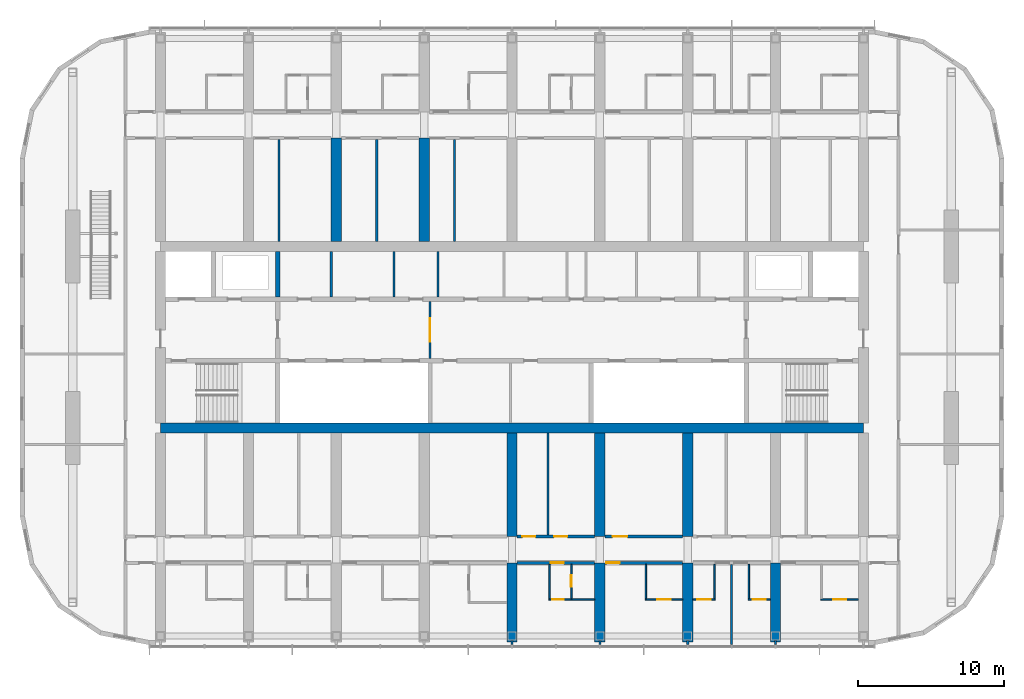
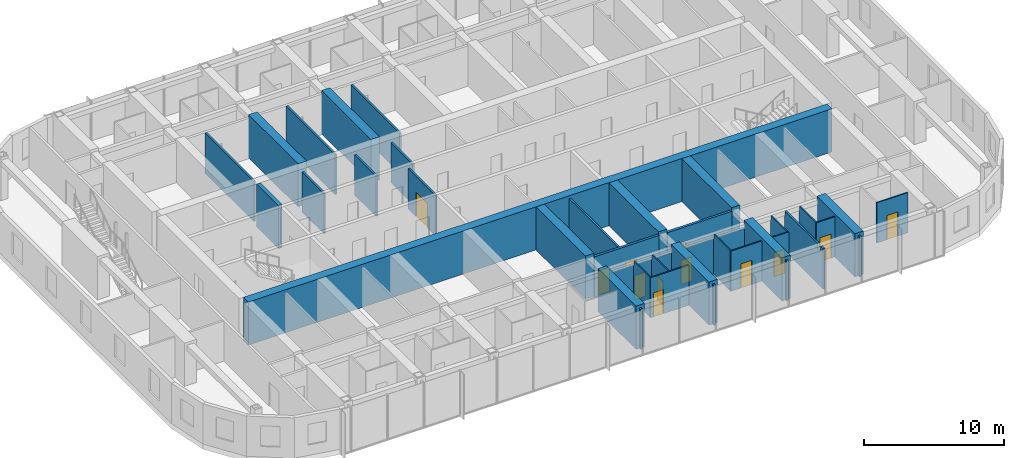
# One storey, part 15 of 28: 38 walls, 12 doors, 12 openings.
"""IFC4 building model written with IfcOpenShell, lengths in metres."""

from ifc_helpers import new_model, si_unit, direction, frame, frame_2d, origin, place, context, subcontext, project, spatial, polyline, rectangle, outline, extrude, material, layer, layer_set, type_object, element, fill, save


model = new_model("IFC4")

# Units and contexts
model_context = context("Model", 3, precision=1e-05, world=origin(), true_north=direction((0.0, 1.0)))
body_context = subcontext(model_context, "Body", "Model", "MODEL_VIEW")
ifc_project = project(units=[si_unit("LENGTHUNIT", "METRE"), si_unit("AREAUNIT", "SQUARE_METRE"), si_unit("VOLUMEUNIT", "CUBIC_METRE"), si_unit("PLANEANGLEUNIT", "RADIAN"), si_unit("MASSUNIT", "GRAM", prefix="KILO")], contexts=[model_context])

# Site, building, storey
site_placement = place(None, origin())
site = spatial("IfcSite", under=ifc_project, at=site_placement, CompositionType="ELEMENT")
building_placement = place(site_placement, origin())
building = spatial("IfcBuilding", under=site, at=building_placement, Name="Orbita Commons", CompositionType="ELEMENT")
storey_placement = place(building_placement, frame((0.0, 0.0, 216.550048828125)))
storey = spatial("IfcBuildingStorey", under=building, at=storey_placement, Name="L53", CompositionType="ELEMENT", Elevation=216.550048828125)

# Wall
ifc_material_1 = material(Name="Concrete C50/60", Category="concrete")
ifc_layer_1 = layer(ifc_material_1, 0.300048828125)
ifc_layer_set_1 = layer_set([ifc_layer_1], Name="Concrete C50/60")
wall_type_1 = type_object("IfcWallType", Name="Core inner wall 300 C50/60", PredefinedType="SHEAR", material=ifc_layer_set_1)
wall_1_placement = place(storey_placement, frame((26.0, 34.75, 0.0), z_axis=(0.0, 0.0, 1.0), x_axis=(0.0, 1.0, 0.0)))
element("IfcWall", 1, at=wall_1_placement, inside=storey, type_object=wall_type_1, Name="Riser wall west L53", PredefinedType="SHEAR", context=body_context, shape_type="SweptSolid", body=[
    extrude(rectangle(XDim=3.10009765625, YDim=0.300048828125, at=frame_2d((1.550048828125, 0.0))), origin(), (0.0, 0.0, 1.0), 3.75),
])

# Wall, opening, door
ifc_material_2 = material(Name="Concrete blockwork", Category="masonry")
ifc_layer_2 = layer(ifc_material_2, 0.14990234375)
ifc_layer_set_2 = layer_set([ifc_layer_2], Name="Concrete blockwork")
wall_type_2 = type_object("IfcWallType", Name="Core partition 150 blockwork", PredefinedType="SOLIDWALL", material=ifc_layer_set_2)
wall_2_placement = place(storey_placement, frame((36.39990234375, 30.550048828125, 0.0), z_axis=(0.0, 0.0, 1.0), x_axis=(0.0, 1.0, 0.0)))
wall_2 = element("IfcWall", 2, at=wall_2_placement, inside=storey, type_object=wall_type_2, Name="Core partition 150 blockwork L53", PredefinedType="SOLIDWALL", context=body_context, shape_type="SweptSolid", body=[
    extrude(rectangle(XDim=3.89990234375, YDim=0.14990234375, at=frame_2d((1.949951171875, 0.0))), origin(), (0.0, 0.0, 1.0), 3.5),
])
opening_1_placement = place(wall_2_placement, frame((1.14990234375, 0.0, 0.0)))
opening_1 = element("IfcOpeningElement", 3, at=opening_1_placement, cuts=wall_2, Name="Opening D10", PredefinedType="OPENING", context=body_context, shape_type="SweptSolid", body=[
    extrude(rectangle(XDim=1.60009765625, YDim=2.10009765625, at=frame_2d((0.800048828125, 1.050048828125))), frame((0.0, 0.0849609375, 0.0), z_axis=(0.0, -1.0, 0.0), x_axis=(1.0, 0.0, 0.0)), (0.0, 0.0, 1.0), 0.169921875),
])
ifc_material_3 = material(Name="Steel-faced fire door leaf", Category="steel")
door_type_1 = type_object("IfcDoorType", Name="Double corridor door 20 min 1600x2100", OperationType="DOUBLE_DOOR_SINGLE_SWING", PredefinedType="DOOR", material=ifc_material_3)
door_1_placement = place(opening_1_placement, origin())
door_1 = element("IfcDoor", 4, at=door_1_placement, inside=storey, type_object=door_type_1, Name="Lift lobby screen doors", OperationType="DOUBLE_DOOR_SINGLE_SWING", OverallHeight=2.10009765625, OverallWidth=1.60009765625, PredefinedType="DOOR", context=body_context, shape_type="SweptSolid", body=[
    extrude(rectangle(XDim=1.60009765625, YDim=2.10009765625, at=frame_2d((0.800048828125, 1.050048828125))), frame((0.0, 0.02490234375, 0.0), z_axis=(0.0, -1.0, 0.0), x_axis=(1.0, 0.0, 0.0)), (0.0, 0.0, 1.0), 0.050048828125),
])
fill(opening_1, door_1)

# Walls
for number, where, z_axis, x_axis, name in (
    (5, (29.65087890625, 34.75, 0.0), (0.0, 0.0, 1.0), (0.0, 1.0, 0.0), "Core partition 150 blockwork L53"),
    (6, (33.9462890625, 34.75, 0.0), (0.0, 0.0, 1.0), (0.0, 1.0, 0.0), "Core partition 150 blockwork L53"),
    (7, (36.9462890625, 34.75, 0.0), (0.0, 0.0, 1.0), (0.0, 1.0, 0.0), "Core partition 150 blockwork L53"),
):
    element("IfcWall", number, at=place(storey_placement, frame(where, z_axis=z_axis, x_axis=x_axis)), inside=storey, type_object=wall_type_2, Name=name, PredefinedType="SOLIDWALL", context=body_context, shape_type="SweptSolid", body=[
        extrude(rectangle(XDim=3.10009765625, YDim=0.14990234375, at=frame_2d((1.550048828125, 0.0))), origin(), (0.0, 0.0, 1.0), 3.5),
    ])
ifc_material_4 = material(Name="Concrete C50/60", Category="concrete")
ifc_layer_3 = layer(ifc_material_4, 0.699951171875)
ifc_layer_set_3 = layer_set([ifc_layer_3], Name="Concrete C50/60")
wall_type_3 = type_object("IfcWallType", Name="Core wall 700 C50/60", PredefinedType="SHEAR", material=ifc_layer_set_3)
wall_3_placement = place(storey_placement, frame((18.0, 25.800048828125, 0.0), z_axis=(0.0, 0.0, 1.0), x_axis=(1.0, 0.0, 0.0)))
element("IfcWall", 8, at=wall_3_placement, inside=storey, type_object=wall_type_3, Name="Core spine wall south L53", PredefinedType="SHEAR", context=body_context, shape_type="SweptSolid", body=[
    extrude(rectangle(XDim=48.0, YDim=0.699951171875, at=frame_2d((24.0, 0.0))), origin(), (0.0, 0.0, 1.0), 3.75),
])

# Wall, opening, door
ifc_material_5 = material(Name="Concrete blockwork", Category="masonry")
ifc_layer_4 = layer(ifc_material_5, 0.199951171875)
ifc_layer_set_4 = layer_set([ifc_layer_4], Name="Concrete blockwork")
wall_type_4 = type_object("IfcWallType", Name="Corridor wall 200 blockwork", PredefinedType="SOLIDWALL", material=ifc_layer_set_4)
wall_4_placement = place(storey_placement, frame((42.35009765625, 16.60009765625, 0.0), z_axis=(0.0, 0.0, 1.0), x_axis=(1.0, 0.0, 0.0)))
wall_4 = element("IfcWall", 9, at=wall_4_placement, inside=storey, type_object=wall_type_4, Name="Corridor wall 200 blockwork L53", PredefinedType="SOLIDWALL", context=body_context, shape_type="SweptSolid", body=[
    extrude(outline(polyline([(0.0, 0.0), (5.2998046875, 0.0), (5.300048828125, 3.099853515625), (0.0, 3.099853515625), (0.0, 0.0)])), frame((0.0, 0.10009765625, 0.0), z_axis=(0.0, -1.0, 0.0), x_axis=(1.0, 0.0, 0.0)), (0.0, 0.0, 1.0), 0.199951171875),
])
opening_2_placement = place(wall_4_placement, frame((2.300048828125, 0.0, 0.0)))
opening_2 = element("IfcOpeningElement", 10, at=opening_2_placement, cuts=wall_4, Name="Opening D11", PredefinedType="OPENING", context=body_context, shape_type="SweptSolid", body=[
    extrude(rectangle(XDim=0.89990234375, YDim=2.10009765625, at=frame_2d((0.449951171875, 1.050048828125))), frame((0.0, 0.10986328125, 0.0), z_axis=(0.0, -1.0, 0.0), x_axis=(1.0, 0.0, 0.0)), (0.0, 0.0, 1.0), 0.219970703125),
])
ifc_material_6 = material(Name="Steel-faced fire door leaf", Category="steel")
door_type_2 = type_object("IfcDoorType", Name="Corridor door 20 min 900x2100", OperationType="SINGLE_SWING_LEFT", PredefinedType="DOOR", material=ifc_material_6)
door_2_placement = place(opening_2_placement, origin())
door_2 = element("IfcDoor", 11, at=door_2_placement, inside=storey, type_object=door_type_2, Name="Studio flat L53-S08 entrance door", OperationType="SINGLE_SWING_LEFT", OverallHeight=2.10009765625, OverallWidth=0.89990234375, PredefinedType="DOOR", context=body_context, shape_type="SweptSolid", body=[
    extrude(rectangle(XDim=0.89990234375, YDim=2.10009765625, at=frame_2d((0.449951171875, 1.050048828125))), frame((0.0, 0.02490234375, 0.0), z_axis=(0.0, -1.0, 0.0), x_axis=(1.0, 0.0, 0.0)), (0.0, 0.0, 1.0), 0.050048828125),
])
fill(opening_2, door_2)

wall_5_placement = place(storey_placement, frame((48.35009765625, 16.60009765625, 0.0), z_axis=(0.0, 0.0, 1.0), x_axis=(1.0, 0.0, 0.0)))
wall_5 = element("IfcWall", 12, at=wall_5_placement, inside=storey, type_object=wall_type_4, Name="Corridor wall 200 blockwork L53", PredefinedType="SOLIDWALL", context=body_context, shape_type="SweptSolid", body=[
    extrude(outline(polyline([(0.0, 0.0), (5.2998046875, 0.0), (5.300048828125, 3.099853515625), (0.0, 3.099853515625), (0.0, 0.0)])), frame((0.0, 0.10009765625, 0.0), z_axis=(0.0, -1.0, 0.0), x_axis=(1.0, 0.0, 0.0)), (0.0, 0.0, 1.0), 0.199951171875),
])
opening_3_placement = place(wall_5_placement, frame((0.10009765625, 0.0, 0.0)))
opening_3 = element("IfcOpeningElement", 13, at=opening_3_placement, cuts=wall_5, Name="Opening D11", PredefinedType="OPENING", context=body_context, shape_type="SweptSolid", body=[
    extrude(rectangle(XDim=0.89990234375, YDim=2.10009765625, at=frame_2d((0.449951171875, 1.050048828125))), frame((0.0, 0.10986328125, 0.0), z_axis=(0.0, -1.0, 0.0), x_axis=(1.0, 0.0, 0.0)), (0.0, 0.0, 1.0), 0.219970703125),
])
door_3_placement = place(opening_3_placement, origin())
door_3 = element("IfcDoor", 14, at=door_3_placement, inside=storey, type_object=door_type_2, Name="Studio apartment with kitchenette L53-S10 door", OperationType="SINGLE_SWING_LEFT", OverallHeight=2.10009765625, OverallWidth=0.89990234375, PredefinedType="DOOR", context=body_context, shape_type="SweptSolid", body=[
    extrude(rectangle(XDim=0.89990234375, YDim=2.10009765625, at=frame_2d((0.449951171875, 1.050048828125))), frame((0.0, 0.02490234375, 0.0), z_axis=(0.0, -1.0, 0.0), x_axis=(1.0, 0.0, 0.0)), (0.0, 0.0, 1.0), 0.050048828125),
])
fill(opening_3, door_3)

# Wall, openings, doors
ifc_material_7 = material(Name="Hollow concrete block 200", Category="concrete")
ifc_layer_5 = layer(ifc_material_7, 0.199951171875)
ifc_layer_set_5 = layer_set([ifc_layer_5], Name="Hollow concrete block 200")
wall_type_5 = type_object("IfcWallType", Name="Corridor wall 200 hollow concrete block", PredefinedType="SOLIDWALL", material=ifc_layer_set_5)
wall_6_placement = place(storey_placement, frame((42.35009765625, 18.39990234375, 0.0), z_axis=(0.0, 0.0, 1.0), x_axis=(1.0, 0.0, 0.0)))
wall_6 = element("IfcWall", 15, at=wall_6_placement, inside=storey, type_object=wall_type_5, Name="Corridor wall 200 hollow concrete block L53", PredefinedType="SOLIDWALL", context=body_context, shape_type="SweptSolid", body=[
    extrude(rectangle(XDim=5.2998046875, YDim=0.199951171875, at=frame_2d((2.64990234375, 0.0))), origin(), (0.0, 0.0, 1.0), 3.5),
])
opening_4_placement = place(wall_6_placement, frame((0.35009765625, 0.0, 0.0)))
opening_4 = element("IfcOpeningElement", 16, at=opening_4_placement, cuts=wall_6, Name="Opening D11", PredefinedType="OPENING", context=body_context, shape_type="SweptSolid", body=[
    extrude(rectangle(XDim=0.89990234375, YDim=2.10009765625, at=frame_2d((0.449951171875, 1.050048828125))), frame((0.0, 0.10986328125, 0.0), z_axis=(0.0, -1.0, 0.0), x_axis=(1.0, 0.0, 0.0)), (0.0, 0.0, 1.0), 0.219970703125),
])
opening_5_placement = place(wall_6_placement, frame((2.534912109375, 0.0, 0.0)))
opening_5 = element("IfcOpeningElement", 17, at=opening_5_placement, cuts=wall_6, Name="Opening D11", PredefinedType="OPENING", context=body_context, shape_type="SweptSolid", body=[
    extrude(rectangle(XDim=0.89990234375, YDim=2.10009765625, at=frame_2d((0.449951171875, 1.050048828125))), frame((0.0, 0.10986328125, 0.0), z_axis=(0.0, -1.0, 0.0), x_axis=(1.0, 0.0, 0.0)), (0.0, 0.0, 1.0), 0.219970703125),
])
door_4_placement = place(opening_4_placement, origin())
door_4 = element("IfcDoor", 18, at=door_4_placement, inside=storey, type_object=door_type_2, Name="Equipment store L53-BDS42n door", OperationType="SINGLE_SWING_LEFT", OverallHeight=2.10009765625, OverallWidth=0.89990234375, PredefinedType="DOOR", context=body_context, shape_type="SweptSolid", body=[
    extrude(rectangle(XDim=0.89990234375, YDim=2.10009765625, at=frame_2d((0.449951171875, 1.050048828125))), frame((0.0, 0.02490234375, 0.0), z_axis=(0.0, -1.0, 0.0), x_axis=(1.0, 0.0, 0.0)), (0.0, 0.0, 1.0), 0.050048828125),
])
fill(opening_4, door_4)
door_5_placement = place(opening_5_placement, origin())
door_5 = element("IfcDoor", 19, at=door_5_placement, inside=storey, type_object=door_type_2, Name="Board room L53-BDS42 door", OperationType="SINGLE_SWING_LEFT", OverallHeight=2.10009765625, OverallWidth=0.89990234375, PredefinedType="DOOR", context=body_context, shape_type="SweptSolid", body=[
    extrude(rectangle(XDim=0.89990234375, YDim=2.10009765625, at=frame_2d((0.449951171875, 1.050048828125))), frame((0.0, 0.02490234375, 0.0), z_axis=(0.0, -1.0, 0.0), x_axis=(1.0, 0.0, 0.0)), (0.0, 0.0, 1.0), 0.050048828125),
])
fill(opening_5, door_5)

# Wall, opening, door
wall_7_placement = place(storey_placement, frame((48.35009765625, 18.39990234375, 0.0), z_axis=(0.0, 0.0, 1.0), x_axis=(1.0, 0.0, 0.0)))
wall_7 = element("IfcWall", 20, at=wall_7_placement, inside=storey, type_object=wall_type_5, Name="Corridor wall 200 hollow concrete block L53", PredefinedType="SOLIDWALL", context=body_context, shape_type="SweptSolid", body=[
    extrude(rectangle(XDim=5.2998046875, YDim=0.199951171875, at=frame_2d((2.64990234375, 0.0))), origin(), (0.0, 0.0, 1.0), 3.5),
])
opening_6_placement = place(wall_7_placement, frame((0.52490234375, 0.0, 0.0)))
opening_6 = element("IfcOpeningElement", 21, at=opening_6_placement, cuts=wall_7, Name="Opening D06", PredefinedType="OPENING", context=body_context, shape_type="SweptSolid", body=[
    extrude(rectangle(XDim=1.0, YDim=2.10009765625, at=frame_2d((0.5, 1.050048828125))), frame((0.0, 0.10986328125, 0.0), z_axis=(0.0, -1.0, 0.0), x_axis=(1.0, 0.0, 0.0)), (0.0, 0.0, 1.0), 0.219970703125),
])
ifc_material_8 = material(Name="Steel-faced fire door leaf", Category="steel")
door_type_3 = type_object("IfcDoorType", Name="Corridor door 20 min 1000x2100", OperationType="SINGLE_SWING_LEFT", PredefinedType="DOOR", material=ifc_material_8)
door_6_placement = place(opening_6_placement, origin())
door_6 = element("IfcDoor", 22, at=door_6_placement, inside=storey, type_object=door_type_3, Name="IT and print room L53-BDS48 door", OperationType="SINGLE_SWING_LEFT", OverallHeight=2.10009765625, OverallWidth=1.0, PredefinedType="DOOR", context=body_context, shape_type="SweptSolid", body=[
    extrude(rectangle(XDim=1.0, YDim=2.10009765625, at=frame_2d((0.5, 1.050048828125))), frame((0.0, 0.02490234375, 0.0), z_axis=(0.0, -1.0, 0.0), x_axis=(1.0, 0.0, 0.0)), (0.0, 0.0, 1.0), 0.050048828125),
])
fill(opening_6, door_6)

# Walls
ifc_material_9 = material(Name="Concrete C50/60", Category="concrete")
ifc_layer_6 = layer(ifc_material_9, 0.699951171875)
ifc_layer_set_6 = layer_set([ifc_layer_6], Name="Concrete C50/60")
wall_type_6 = type_object("IfcWallType", Name="Cross wall 700 C50/60", PredefinedType="SHEAR", material=ifc_layer_set_6)
for number, where, z_axis, x_axis, name in (
    (23, (30.0, 38.550048828125, 0.0), (0.0, 0.0, 1.0), (0.0, 1.0, 0.0), "Cross wall 6 north inner L53"),
    (24, (36.0, 38.550048828125, 0.0), (0.0, 0.0, 1.0), (0.0, 1.0, 0.0), "Cross wall 7 north inner L53"),
):
    element("IfcWall", number, at=place(storey_placement, frame(where, z_axis=z_axis, x_axis=x_axis)), inside=storey, type_object=wall_type_6, Name=name, PredefinedType="SHEAR", context=body_context, shape_type="SweptSolid", body=[
        extrude(rectangle(XDim=7.050048828125, YDim=0.699951171875, at=frame_2d((3.52490234375, 0.0))), origin(), (0.0, 0.0, 1.0), 3.75),
    ])
wall_8_placement = place(storey_placement, frame((42.0, 11.199951171875, 0.0), z_axis=(0.0, 0.0, 1.0), x_axis=(0.0, 1.0, 0.0)))
element("IfcWall", 25, at=wall_8_placement, inside=storey, type_object=wall_type_6, Name="Cross wall 8 south outer L53", PredefinedType="SHEAR", context=body_context, shape_type="SweptSolid", body=[
    extrude(rectangle(XDim=5.400146484375, YDim=0.699951171875, at=frame_2d((2.7001953125, 0.0))), origin(), (0.0, 0.0, 1.0), 3.75),
])
wall_9_placement = place(storey_placement, frame((42.0, 18.39990234375, 0.0), z_axis=(0.0, 0.0, 1.0), x_axis=(0.0, 1.0, 0.0)))
element("IfcWall", 26, at=wall_9_placement, inside=storey, type_object=wall_type_6, Name="Cross wall 8 south inner L53", PredefinedType="SHEAR", context=body_context, shape_type="SweptSolid", body=[
    extrude(rectangle(XDim=7.050048828125, YDim=0.699951171875, at=frame_2d((3.52490234375, 0.0))), origin(), (0.0, 0.0, 1.0), 3.75),
])
wall_10_placement = place(storey_placement, frame((48.0, 11.199951171875, 0.0), z_axis=(0.0, 0.0, 1.0), x_axis=(0.0, 1.0, 0.0)))
element("IfcWall", 27, at=wall_10_placement, inside=storey, type_object=wall_type_6, Name="Cross wall 9 south outer L53", PredefinedType="SHEAR", context=body_context, shape_type="SweptSolid", body=[
    extrude(rectangle(XDim=5.400146484375, YDim=0.699951171875, at=frame_2d((2.7001953125, 0.0))), origin(), (0.0, 0.0, 1.0), 3.75),
])
wall_11_placement = place(storey_placement, frame((48.0, 18.39990234375, 0.0), z_axis=(0.0, 0.0, 1.0), x_axis=(0.0, 1.0, 0.0)))
element("IfcWall", 28, at=wall_11_placement, inside=storey, type_object=wall_type_6, Name="Cross wall 9 south inner L53", PredefinedType="SHEAR", context=body_context, shape_type="SweptSolid", body=[
    extrude(rectangle(XDim=7.050048828125, YDim=0.699951171875, at=frame_2d((3.52490234375, 0.0))), origin(), (0.0, 0.0, 1.0), 3.75),
])
wall_12_placement = place(storey_placement, frame((54.0, 11.199951171875, 0.0), z_axis=(0.0, 0.0, 1.0), x_axis=(0.0, 1.0, 0.0)))
element("IfcWall", 29, at=wall_12_placement, inside=storey, type_object=wall_type_6, Name="Cross wall 10 south outer L53", PredefinedType="SHEAR", context=body_context, shape_type="SweptSolid", body=[
    extrude(rectangle(XDim=5.400146484375, YDim=0.699951171875, at=frame_2d((2.7001953125, 0.0))), origin(), (0.0, 0.0, 1.0), 3.75),
])
wall_13_placement = place(storey_placement, frame((54.0, 18.39990234375, 0.0), z_axis=(0.0, 0.0, 1.0), x_axis=(0.0, 1.0, 0.0)))
element("IfcWall", 30, at=wall_13_placement, inside=storey, type_object=wall_type_6, Name="Cross wall 10 south inner L53", PredefinedType="SHEAR", context=body_context, shape_type="SweptSolid", body=[
    extrude(rectangle(XDim=7.050048828125, YDim=0.699951171875, at=frame_2d((3.52490234375, 0.0))), origin(), (0.0, 0.0, 1.0), 3.75),
])
wall_14_placement = place(storey_placement, frame((60.0, 11.199951171875, 0.0), z_axis=(0.0, 0.0, 1.0), x_axis=(0.0, 1.0, 0.0)))
element("IfcWall", 31, at=wall_14_placement, inside=storey, type_object=wall_type_6, Name="Cross wall 11 south outer L53", PredefinedType="SHEAR", context=body_context, shape_type="SweptSolid", body=[
    extrude(rectangle(XDim=5.400146484375, YDim=0.699951171875, at=frame_2d((2.7001953125, 0.0))), origin(), (0.0, 0.0, 1.0), 3.75),
])

# Wall, opening, door
ifc_material_10 = material(Name="Moisture-resistant plasterboard on steel studs", Category="steel")
ifc_layer_7 = layer(ifc_material_10, 0.10009765625)
ifc_layer_set_7 = layer_set([ifc_layer_7], Name="Moisture-resistant plasterboard on steel studs")
wall_type_7 = type_object("IfcWallType", Name="En-suite partition 100", PredefinedType="PARTITIONING", material=ifc_layer_set_7)
wall_15_placement = place(storey_placement, frame((47.64990234375, 14.10009765625, 0.0), z_axis=(0.0, 0.0, 1.0), x_axis=(-1.0, 0.0, 0.0)))
wall_15 = element("IfcWall", 32, at=wall_15_placement, inside=storey, type_object=wall_type_7, Name="En-suite partition 100 L53", PredefinedType="PARTITIONING", context=body_context, shape_type="SweptSolid", body=[
    extrude(rectangle(XDim=3.14990234375, YDim=0.10009765625, at=frame_2d((1.574951171875, 0.0))), origin(), (0.0, 0.0, 1.0), 3.5),
])
opening_7_placement = place(wall_15_placement, frame((2.10009765625, 0.0, 0.0)))
opening_7 = element("IfcOpeningElement", 33, at=opening_7_placement, cuts=wall_15, Name="Opening D16", PredefinedType="OPENING", context=body_context, shape_type="SweptSolid", body=[
    extrude(rectangle(XDim=0.800048828125, YDim=2.10009765625, at=frame_2d((0.39990234375, 1.050048828125))), frame((0.0, 0.06005859375, 0.0), z_axis=(0.0, -1.0, 0.0), x_axis=(1.0, 0.0, 0.0)), (0.0, 0.0, 1.0), 0.1201171875),
])
ifc_material_11 = material(Name="Laminated timber door leaf", Category="wood")
door_type_4 = type_object("IfcDoorType", Name="En-suite door 800x2100", OperationType="SINGLE_SWING_RIGHT", PredefinedType="DOOR", material=ifc_material_11)
door_7_placement = place(opening_7_placement, origin())
door_7 = element("IfcDoor", 34, at=door_7_placement, inside=storey, type_object=door_type_4, Name="Studio flat L53-S08 door", OperationType="SINGLE_SWING_RIGHT", OverallHeight=2.10009765625, OverallWidth=0.800048828125, PredefinedType="DOOR", context=body_context, shape_type="SweptSolid", body=[
    extrude(rectangle(XDim=0.800048828125, YDim=2.10009765625, at=frame_2d((0.39990234375, 1.050048828125))), frame((0.0, 0.02490234375, 0.0), z_axis=(0.0, -1.0, 0.0), x_axis=(1.0, 0.0, 0.0)), (0.0, 0.0, 1.0), 0.050048828125),
])
fill(opening_7, door_7)

# Wall
wall_16_placement = place(storey_placement, frame((44.550048828125, 14.14990234375, 0.0), z_axis=(0.0, 0.0, 1.0), x_axis=(0.0, 1.0, 0.0)))
element("IfcWall", 35, at=wall_16_placement, inside=storey, type_object=wall_type_7, Name="En-suite partition 100 L53", PredefinedType="PARTITIONING", context=body_context, shape_type="SweptSolid", body=[
    extrude(outline(polyline([(0.0, 0.0), (2.35009765625, 0.0), (2.35009765625, 3.099853515625), (2.302001953125, 3.099853515625), (2.300048828125, 3.5), (0.0, 3.5), (0.0, 0.0)])), frame((0.0, 0.050048828125, 0.0), z_axis=(0.0, -1.0, 0.0), x_axis=(1.0, 0.0, 0.0)), (0.0, 0.0, 1.0), 0.10009765625),
])

# Wall, opening, door
wall_17_placement = place(storey_placement, frame((46.050048828125, 14.14990234375, 0.0), z_axis=(0.0, 0.0, 1.0), x_axis=(0.0, 1.0, 0.0)))
wall_17 = element("IfcWall", 36, at=wall_17_placement, inside=storey, type_object=wall_type_7, Name="En-suite partition 100 L53", PredefinedType="PARTITIONING", context=body_context, shape_type="SweptSolid", body=[
    extrude(outline(polyline([(0.0, 0.0), (2.35009765625, 0.0), (2.35009765625, 3.099853515625), (2.302001953125, 3.099853515625), (2.300048828125, 3.5), (0.0, 3.5), (0.0, 0.0)])), frame((0.0, 0.050048828125, 0.0), z_axis=(0.0, -1.0, 0.0), x_axis=(1.0, 0.0, 0.0)), (0.0, 0.0, 1.0), 0.10009765625),
])
opening_8_placement = place(wall_17_placement, frame((0.800048828125, 0.0, 0.0)))
opening_8 = element("IfcOpeningElement", 37, at=opening_8_placement, cuts=wall_17, Name="Opening D16", PredefinedType="OPENING", context=body_context, shape_type="SweptSolid", body=[
    extrude(rectangle(XDim=0.800048828125, YDim=2.10009765625, at=frame_2d((0.39990234375, 1.050048828125))), frame((0.0, 0.06005859375, 0.0), z_axis=(0.0, -1.0, 0.0), x_axis=(1.0, 0.0, 0.0)), (0.0, 0.0, 1.0), 0.1201171875),
])
door_8_placement = place(opening_8_placement, origin())
door_8 = element("IfcDoor", 38, at=door_8_placement, inside=storey, type_object=door_type_4, Name="Studio flat shower room L53-S08 door", OperationType="SINGLE_SWING_RIGHT", OverallHeight=2.10009765625, OverallWidth=0.800048828125, PredefinedType="DOOR", context=body_context, shape_type="SweptSolid", body=[
    extrude(rectangle(XDim=0.800048828125, YDim=2.10009765625, at=frame_2d((0.39990234375, 1.050048828125))), frame((0.0, 0.02490234375, 0.0), z_axis=(0.0, -1.0, 0.0), x_axis=(1.0, 0.0, 0.0)), (0.0, 0.0, 1.0), 0.050048828125),
])
fill(opening_8, door_8)

wall_18_placement = place(storey_placement, frame((53.64990234375, 14.10009765625, 0.0), z_axis=(0.0, 0.0, 1.0), x_axis=(-1.0, 0.0, 0.0)))
wall_18 = element("IfcWall", 39, at=wall_18_placement, inside=storey, type_object=wall_type_7, Name="En-suite partition 100 L53", PredefinedType="PARTITIONING", context=body_context, shape_type="SweptSolid", body=[
    extrude(rectangle(XDim=2.5498046875, YDim=0.10009765625, at=frame_2d((1.27490234375, 0.0))), origin(), (0.0, 0.0, 1.0), 3.5),
])
opening_9_placement = place(wall_18_placement, frame((0.824951171875, 0.0, 0.0)))
opening_9 = element("IfcOpeningElement", 40, at=opening_9_placement, cuts=wall_18, Name="Opening D09", PredefinedType="OPENING", context=body_context, shape_type="SweptSolid", body=[
    extrude(rectangle(XDim=0.89990234375, YDim=2.10009765625, at=frame_2d((0.449951171875, 1.050048828125))), frame((0.0, 0.06005859375, 0.0), z_axis=(0.0, -1.0, 0.0), x_axis=(1.0, 0.0, 0.0)), (0.0, 0.0, 1.0), 0.1201171875),
])
ifc_material_12 = material(Name="Laminated timber door leaf", Category="wood")
door_type_5 = type_object("IfcDoorType", Name="En-suite door 900x2100", OperationType="SINGLE_SWING_RIGHT", PredefinedType="DOOR", material=ifc_material_12)
door_9_placement = place(opening_9_placement, origin())
door_9 = element("IfcDoor", 41, at=door_9_placement, inside=storey, type_object=door_type_5, Name="En-suite L53-S10 door", OperationType="SINGLE_SWING_RIGHT", OverallHeight=2.10009765625, OverallWidth=0.89990234375, PredefinedType="DOOR", context=body_context, shape_type="SweptSolid", body=[
    extrude(rectangle(XDim=0.89990234375, YDim=2.10009765625, at=frame_2d((0.449951171875, 1.050048828125))), frame((0.0, 0.02490234375, 0.0), z_axis=(0.0, -1.0, 0.0), x_axis=(1.0, 0.0, 0.0)), (0.0, 0.0, 1.0), 0.050048828125),
])
fill(opening_9, door_9)

# Wall
wall_19_placement = place(storey_placement, frame((51.14990234375, 14.14990234375, 0.0), z_axis=(0.0, 0.0, 1.0), x_axis=(0.0, 1.0, 0.0)))
element("IfcWall", 42, at=wall_19_placement, inside=storey, type_object=wall_type_7, Name="En-suite partition 100 L53", PredefinedType="PARTITIONING", context=body_context, shape_type="SweptSolid", body=[
    extrude(outline(polyline([(0.0, 0.0), (2.35009765625, 0.0), (2.35009765625, 3.099853515625), (2.302001953125, 3.099853515625), (2.300048828125, 3.5), (0.0, 3.5), (0.0, 0.0)])), frame((0.0, 0.050048828125, 0.0), z_axis=(0.0, -1.0, 0.0), x_axis=(1.0, 0.0, 0.0)), (0.0, 0.0, 1.0), 0.10009765625),
])

# Wall, opening, door
wall_20_placement = place(storey_placement, frame((55.875, 14.10009765625, 0.0), z_axis=(0.0, 0.0, 1.0), x_axis=(-1.0, 0.0, 0.0)))
wall_20 = element("IfcWall", 43, at=wall_20_placement, inside=storey, type_object=wall_type_7, Name="En-suite partition 100 L53", PredefinedType="PARTITIONING", context=body_context, shape_type="SweptSolid", body=[
    extrude(rectangle(XDim=1.52490234375, YDim=0.10009765625, at=frame_2d((0.762451171875, 0.0))), origin(), (0.0, 0.0, 1.0), 3.5),
])
opening_10_placement = place(wall_20_placement, frame((0.3125, 0.0, 0.0)))
opening_10 = element("IfcOpeningElement", 44, at=opening_10_placement, cuts=wall_20, Name="Opening D09", PredefinedType="OPENING", context=body_context, shape_type="SweptSolid", body=[
    extrude(rectangle(XDim=0.89990234375, YDim=2.10009765625, at=frame_2d((0.449951171875, 1.050048828125))), frame((0.0, 0.06005859375, 0.0), z_axis=(0.0, -1.0, 0.0), x_axis=(1.0, 0.0, 0.0)), (0.0, 0.0, 1.0), 0.1201171875),
])
door_10_placement = place(opening_10_placement, origin())
door_10 = element("IfcDoor", 45, at=door_10_placement, inside=storey, type_object=door_type_5, Name="En-suite L53-S12 door", OperationType="SINGLE_SWING_RIGHT", OverallHeight=2.10009765625, OverallWidth=0.89990234375, PredefinedType="DOOR", context=body_context, shape_type="SweptSolid", body=[
    extrude(rectangle(XDim=0.89990234375, YDim=2.10009765625, at=frame_2d((0.449951171875, 1.050048828125))), frame((0.0, 0.02490234375, 0.0), z_axis=(0.0, -1.0, 0.0), x_axis=(1.0, 0.0, 0.0)), (0.0, 0.0, 1.0), 0.050048828125),
])
fill(opening_10, door_10)

# Wall
wall_21_placement = place(storey_placement, frame((55.824951171875, 14.14990234375, 0.0), z_axis=(0.0, 0.0, 1.0), x_axis=(0.0, 1.0, 0.0)))
element("IfcWall", 46, at=wall_21_placement, inside=storey, type_object=wall_type_7, Name="En-suite partition 100 L53", PredefinedType="PARTITIONING", context=body_context, shape_type="SweptSolid", body=[
    extrude(outline(polyline([(0.0, 0.0), (2.35009765625, 0.0), (2.35009765625, 3.099853515625), (2.302001953125, 3.099853515625), (2.300048828125, 3.5), (0.0, 3.5), (0.0, 0.0)])), frame((0.0, 0.050048828125, 0.0), z_axis=(0.0, -1.0, 0.0), x_axis=(1.0, 0.0, 0.0)), (0.0, 0.0, 1.0), 0.10009765625),
])

# Wall, opening, door
wall_22_placement = place(storey_placement, frame((59.64990234375, 14.10009765625, 0.0), z_axis=(0.0, 0.0, 1.0), x_axis=(-1.0, 0.0, 0.0)))
wall_22 = element("IfcWall", 47, at=wall_22_placement, inside=storey, type_object=wall_type_7, Name="En-suite partition 100 L53", PredefinedType="PARTITIONING", context=body_context, shape_type="SweptSolid", body=[
    extrude(rectangle(XDim=1.52490234375, YDim=0.10009765625, at=frame_2d((0.762451171875, 0.0))), origin(), (0.0, 0.0, 1.0), 3.5),
])
opening_11_placement = place(wall_22_placement, frame((0.3125, 0.0, 0.0)))
opening_11 = element("IfcOpeningElement", 48, at=opening_11_placement, cuts=wall_22, Name="Opening D09", PredefinedType="OPENING", context=body_context, shape_type="SweptSolid", body=[
    extrude(rectangle(XDim=0.89990234375, YDim=2.10009765625, at=frame_2d((0.449951171875, 1.050048828125))), frame((0.0, 0.06005859375, 0.0), z_axis=(0.0, -1.0, 0.0), x_axis=(1.0, 0.0, 0.0)), (0.0, 0.0, 1.0), 0.1201171875),
])
door_11_placement = place(opening_11_placement, origin())
door_11 = element("IfcDoor", 49, at=door_11_placement, inside=storey, type_object=door_type_5, Name="En-suite L53-S13 door", OperationType="SINGLE_SWING_RIGHT", OverallHeight=2.10009765625, OverallWidth=0.89990234375, PredefinedType="DOOR", context=body_context, shape_type="SweptSolid", body=[
    extrude(rectangle(XDim=0.89990234375, YDim=2.10009765625, at=frame_2d((0.449951171875, 1.050048828125))), frame((0.0, 0.02490234375, 0.0), z_axis=(0.0, -1.0, 0.0), x_axis=(1.0, 0.0, 0.0)), (0.0, 0.0, 1.0), 0.050048828125),
])
fill(opening_11, door_11)

# Wall
wall_23_placement = place(storey_placement, frame((58.175048828125, 14.14990234375, 0.0), z_axis=(0.0, 0.0, 1.0), x_axis=(0.0, 1.0, 0.0)))
element("IfcWall", 50, at=wall_23_placement, inside=storey, type_object=wall_type_7, Name="En-suite partition 100 L53", PredefinedType="PARTITIONING", context=body_context, shape_type="SweptSolid", body=[
    extrude(outline(polyline([(0.0, 0.0), (2.35009765625, 0.0), (2.35009765625, 3.099853515625), (2.302001953125, 3.099853515625), (2.300048828125, 3.5), (0.0, 3.5), (0.0, 0.0)])), frame((0.0, 0.050048828125, 0.0), z_axis=(0.0, -1.0, 0.0), x_axis=(1.0, 0.0, 0.0)), (0.0, 0.0, 1.0), 0.10009765625),
])

# Wall, opening, door
wall_24_placement = place(storey_placement, frame((65.64990234375, 14.10009765625, 0.0), z_axis=(0.0, 0.0, 1.0), x_axis=(-1.0, 0.0, 0.0)))
wall_24 = element("IfcWall", 51, at=wall_24_placement, inside=storey, type_object=wall_type_7, Name="En-suite partition 100 L53", PredefinedType="PARTITIONING", context=body_context, shape_type="SweptSolid", body=[
    extrude(rectangle(XDim=2.5498046875, YDim=0.10009765625, at=frame_2d((1.27490234375, 0.0))), origin(), (0.0, 0.0, 1.0), 3.5),
])
opening_12_placement = place(wall_24_placement, frame((0.824951171875, 0.0, 0.0)))
opening_12 = element("IfcOpeningElement", 52, at=opening_12_placement, cuts=wall_24, Name="Opening D09", PredefinedType="OPENING", context=body_context, shape_type="SweptSolid", body=[
    extrude(rectangle(XDim=0.89990234375, YDim=2.10009765625, at=frame_2d((0.449951171875, 1.050048828125))), frame((0.0, 0.06005859375, 0.0), z_axis=(0.0, -1.0, 0.0), x_axis=(1.0, 0.0, 0.0)), (0.0, 0.0, 1.0), 0.1201171875),
])
door_12_placement = place(opening_12_placement, origin())
door_12 = element("IfcDoor", 53, at=door_12_placement, inside=storey, type_object=door_type_5, Name="En-suite L53-S14 door", OperationType="SINGLE_SWING_RIGHT", OverallHeight=2.10009765625, OverallWidth=0.89990234375, PredefinedType="DOOR", context=body_context, shape_type="SweptSolid", body=[
    extrude(rectangle(XDim=0.89990234375, YDim=2.10009765625, at=frame_2d((0.449951171875, 1.050048828125))), frame((0.0, 0.02490234375, 0.0), z_axis=(0.0, -1.0, 0.0), x_axis=(1.0, 0.0, 0.0)), (0.0, 0.0, 1.0), 0.050048828125),
])
fill(opening_12, door_12)

# Walls
ifc_material_13 = material(Name="Gypsum plasterboard on steel studs", Category="steel")
ifc_layer_8 = layer(ifc_material_13, 0.14990234375)
ifc_layer_set_8 = layer_set([ifc_layer_8], Name="Gypsum plasterboard on steel studs")
wall_type_8 = type_object("IfcWallType", Name="Partition 150 plasterboard", PredefinedType="PARTITIONING", material=ifc_layer_set_8)
for number, where, z_axis, x_axis, name in (
    (54, (44.4599609375, 18.5, 0.0), (0.0, 0.0, 1.0), (0.0, 1.0, 0.0), "Partition 150 plasterboard L53"),
    (55, (26.0849609375, 38.550048828125, 0.0), (0.0, 0.0, 1.0), (0.0, 1.0, 0.0), "Partition 150 plasterboard L53"),
    (56, (32.760009765625, 38.550048828125, 0.0), (0.0, 0.0, 1.0), (0.0, 1.0, 0.0), "Partition 150 plasterboard L53"),
    (57, (38.074951171875, 38.550048828125, 0.0), (0.0, 0.0, 1.0), (0.0, 1.0, 0.0), "Partition 150 plasterboard L53"),
):
    element("IfcWall", number, at=place(storey_placement, frame(where, z_axis=z_axis, x_axis=x_axis)), inside=storey, type_object=wall_type_8, Name=name, PredefinedType="PARTITIONING", context=body_context, shape_type="SweptSolid", body=[
        extrude(rectangle(XDim=6.949951171875, YDim=0.14990234375, at=frame_2d((3.47509765625, 0.0))), origin(), (0.0, 0.0, 1.0), 3.5),
    ])
for number, where, z_axis, x_axis, name in (
    (58, (42.0, 11.300048828125, 0.0), (0.0, 0.0, 1.0), (0.0, -1.0, 0.0), "Partition 150 plasterboard L53"),
    (59, (48.0, 11.300048828125, 0.0), (0.0, 0.0, 1.0), (0.0, -1.0, 0.0), "Partition 150 plasterboard L53"),
    (60, (54.0, 11.300048828125, 0.0), (0.0, 0.0, 1.0), (0.0, -1.0, 0.0), "Partition 150 plasterboard L53"),
    (61, (60.0, 11.300048828125, 0.0), (0.0, 0.0, 1.0), (0.0, -1.0, 0.0), "Partition 150 plasterboard L53"),
):
    element("IfcWall", number, at=place(storey_placement, frame(where, z_axis=z_axis, x_axis=x_axis)), inside=storey, type_object=wall_type_8, Name=name, PredefinedType="PARTITIONING", context=body_context, shape_type="SweptSolid", body=[
        extrude(rectangle(XDim=0.2900390625, YDim=0.14990234375, at=frame_2d((0.14501953125, 0.0))), origin(), (0.0, 0.0, 1.0), 3.5),
    ])
ifc_material_14 = material(Name="Gypsum plasterboard on steel studs", Category="steel")
ifc_layer_9 = layer(ifc_material_14, 0.14990234375)
ifc_layer_set_9 = layer_set([ifc_layer_9], Name="Gypsum plasterboard on steel studs")
wall_type_9 = type_object("IfcWallType", Name="Party wall 150 plasterboard", PredefinedType="PARTITIONING", material=ifc_layer_set_9)
wall_25_placement = place(storey_placement, frame((57.0, 11.010009765625, 0.0), z_axis=(0.0, 0.0, 1.0), x_axis=(0.0, 1.0, 0.0)))
element("IfcWall", 62, at=wall_25_placement, inside=storey, type_object=wall_type_9, Name="Party wall 150 plasterboard L53", PredefinedType="PARTITIONING", context=body_context, shape_type="SweptSolid", body=[
    extrude(outline(polyline([(0.0, 0.0), (5.489990234375, 0.0), (5.489990234375, 3.099853515625), (5.44189453125, 3.099853515625), (5.43994140625, 3.5), (0.7919921875, 3.5), (0.7900390625, 3.099853515625), (0.39208984375, 3.099853515625), (0.389892578125, 3.5), (0.0, 3.5), (0.0, 0.0)])), frame((0.0, 0.074951171875, 0.0), z_axis=(0.0, -1.0, 0.0), x_axis=(1.0, 0.0, 0.0)), (0.0, 0.0, 1.0), 0.14990234375),
])

save(model, "model.ifc")
